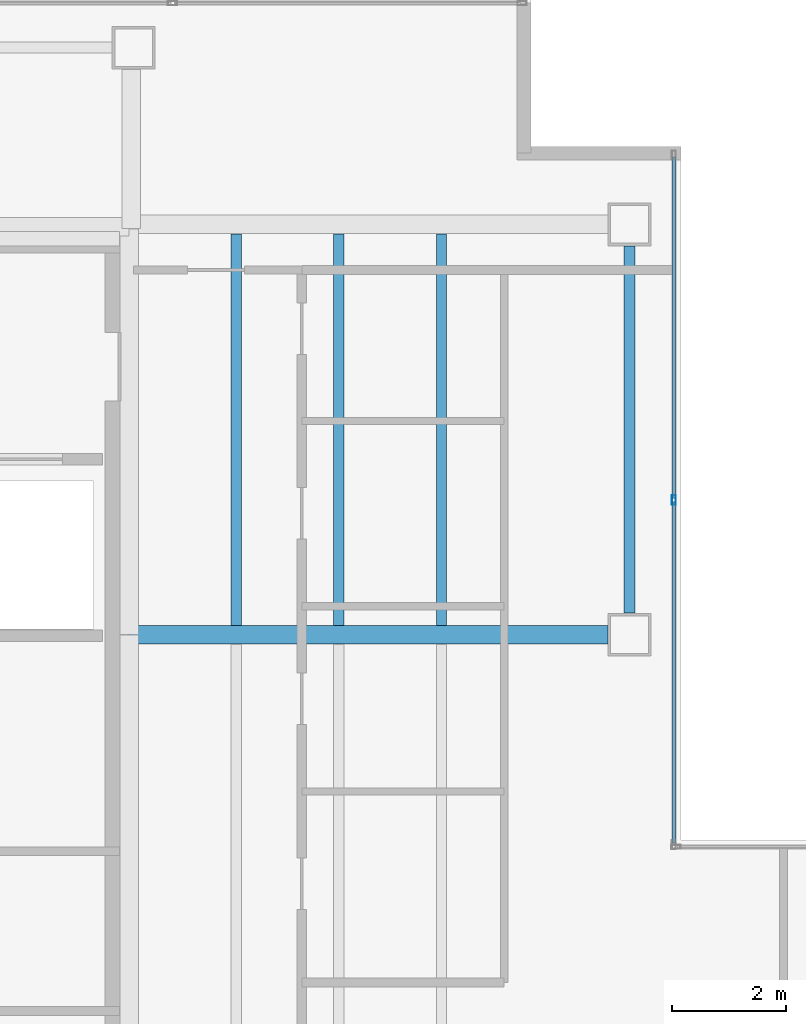
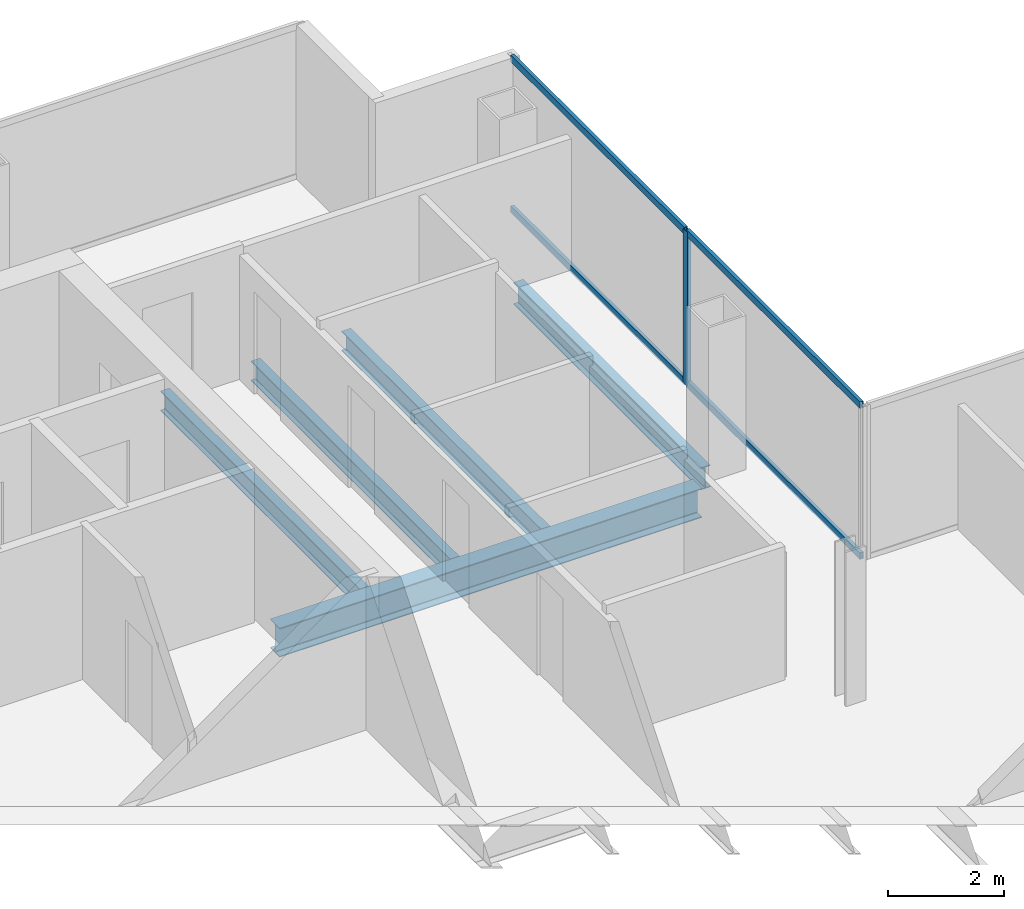
# One storey, part 9 of 23: 5 beams, 5 members, 1 element without a shape of its own.
"""IFC4 building model written with IfcOpenShell, lengths in metres."""

from ifc_helpers import new_model, si_unit, direction, frame, origin, origin_2d, place, context, subcontext, project, spatial, hollow_rectangle, i_section, extrude, material, material_profile, profile_set, type_object, element, aggregate, save


model = new_model("IFC4")

# Units and contexts
model_context = context("Model", 3, precision=1e-05, world=origin(), true_north=direction((0.0, 1.0)))
body_context = subcontext(model_context, "Body", "Model", "MODEL_VIEW")
ifc_project = project(units=[si_unit("LENGTHUNIT", "METRE"), si_unit("AREAUNIT", "SQUARE_METRE"), si_unit("VOLUMEUNIT", "CUBIC_METRE"), si_unit("PLANEANGLEUNIT", "RADIAN"), si_unit("MASSUNIT", "GRAM", prefix="KILO")], contexts=[model_context])

# Site, building, storey
site_placement = place(None, origin())
site = spatial("IfcSite", under=ifc_project, at=site_placement, CompositionType="ELEMENT")
building_placement = place(site_placement, origin())
building = spatial("IfcBuilding", under=site, at=building_placement, Name="Cobrela Telecom Tower", CompositionType="ELEMENT")
storey_placement = place(building_placement, frame((0.0, 0.0, 211.75)))
storey = spatial("IfcBuildingStorey", under=building, at=storey_placement, Name="L54", CompositionType="ELEMENT", Elevation=211.75)

# Beams
ifc_material_1 = material(Name="Steel ASTM A992 Grade 50", Category="steel")
ifc_material_profile_1 = material_profile(ifc_material_1, i_section(OverallWidth=0.324951171875, OverallDepth=0.612060546875, WebThickness=0.0126953125, FlangeThickness=0.01904296875, FilletRadius=0.014892578125, at=origin_2d()), Name="W24X104")
ifc_profile_set_1 = profile_set([ifc_material_profile_1], Name="Steel ASTM A992 Grade 50")
beam_type_1 = type_object("IfcBeamType", Name="BM-GIRD-07", PredefinedType="USERDEFINED", material=ifc_profile_set_1)
beam_1_placement = place(storey_placement, frame((14.324951171875, 28.800048828125, -0.56591796875), z_axis=(1.0, 0.0, 0.0), x_axis=(0.0, 1.0, 0.0)))
element("IfcBeam", 1, at=beam_1_placement, inside=storey, type_object=beam_type_1, Name="L54 Primary Girder X19", ObjectType="GIRDER", PredefinedType="USERDEFINED", context=body_context, shape_type="SweptSolid", body=[
    extrude(i_section(OverallWidth=0.324951171875, OverallDepth=0.612060546875, WebThickness=0.0126953125, FlangeThickness=0.01904296875, FilletRadius=0.014892578125, at=origin_2d()), origin(), (0.0, 0.0, 1.0), 8.39501953125),
])
ifc_material_profile_2 = material_profile(ifc_material_1, i_section(OverallWidth=0.179931640625, OverallDepth=0.4169921875, WebThickness=0.010986328125, FlangeThickness=0.01806640625, FilletRadius=0.011962890625, at=origin_2d()), Name="W16X57")
ifc_profile_set_2 = profile_set([ifc_material_profile_2], Name="Steel ASTM A992 Grade 50")
beam_type_2 = type_object("IfcBeamType", Name="BM-JOIST-04", PredefinedType="JOIST", material=ifc_profile_set_2)
for number, where, z_axis, x_axis, name in (
    (2, (16.199951171875, 28.967529296875, -0.468505859375), (0.0, 1.0, 0.0), (-1.0, 0.0, 0.0), "L54 Secondary Composite Floor Beam J04"),
    (3, (18.0, 28.967529296875, -0.468505859375), (0.0, 1.0, 0.0), (-1.0, 0.0, 0.0), "L54 Secondary Composite Floor Beam J08"),
    (4, (19.800048828125, 28.967529296875, -0.468505859375), (0.0, 1.0, 0.0), (-1.0, 0.0, 0.0), "L54 Secondary Composite Floor Beam J12"),
):
    element("IfcBeam", number, at=place(storey_placement, frame(where, z_axis=z_axis, x_axis=x_axis)), inside=storey, type_object=beam_type_2, Name=name, PredefinedType="JOIST", context=body_context, shape_type="SweptSolid", body=[
        extrude(i_section(OverallWidth=0.179931640625, OverallDepth=0.4169921875, WebThickness=0.010986328125, FlangeThickness=0.01806640625, FilletRadius=0.011962890625, at=origin_2d()), origin(), (0.0, 0.0, 1.0), 6.864990234375),
    ])
ifc_material_profile_3 = material_profile(ifc_material_1, i_section(OverallWidth=0.193115234375, OverallDepth=0.467041015625, WebThickness=0.011474609375, FlangeThickness=0.01904296875, FilletRadius=0.012939453125, at=origin_2d()), Name="W18X65")
ifc_profile_set_3 = profile_set([ifc_material_profile_3], Name="Steel ASTM A992 Grade 50")
beam_type_3 = type_object("IfcBeamType", Name="BM-SPAND-05", PredefinedType="SPANDREL", material=ifc_profile_set_3)
beam_2_placement = place(storey_placement, frame((23.10009765625, 29.179931640625, -0.493408203125), z_axis=(0.0, 1.0, 0.0), x_axis=(-1.0, 0.0, 0.0)))
element("IfcBeam", 5, at=beam_2_placement, inside=storey, type_object=beam_type_3, Name="L54 Perimeter Spandrel Y35", PredefinedType="SPANDREL", context=body_context, shape_type="SweptSolid", body=[
    extrude(i_section(OverallWidth=0.193115234375, OverallDepth=0.467041015625, WebThickness=0.011474609375, FlangeThickness=0.01904296875, FilletRadius=0.012939453125, at=origin_2d()), origin(), (0.0, 0.0, 1.0), 6.440185546875),
])

# Curtain wall, members
ifc_material_2 = material(Name="Anodized Bronze Aluminium 6063-T6", Category="aluminium")
curtain_wall_type = type_object("IfcCurtainWallType", Name="CW-SYS-OFF-LO", PredefinedType="USERDEFINED", material=ifc_material_2)
curtain_wall_placement = place(storey_placement, origin())
curtain_wall = element("IfcCurtainWall", 6, at=curtain_wall_placement, inside=storey, type_object=curtain_wall_type, Name="L54 Unitised Bronze Curtain Wall 10", ObjectType="UNITISED CURTAIN WALL", PredefinedType="USERDEFINED")
ifc_material_profile_4 = material_profile(ifc_material_2, hollow_rectangle(XDim=0.070068359375, YDim=0.159912109375, WallThickness=0.00390625, at=origin_2d()), Name="ALU 70x160x4")
ifc_profile_set_4 = profile_set([ifc_material_profile_4], Name="Anodized Bronze Aluminium 6063-T6")
member_type_1 = type_object("IfcMemberType", Name="CW-SYS-OFF-LO-MUL", PredefinedType="MULLION", material=ifc_profile_set_4)
member_1_placement = place(storey_placement, frame((23.8798828125, 31.1650390625, 0.0), z_axis=(0.0, 0.0, 1.0), x_axis=(1.0, 0.0, 0.0)))
member_1 = element("IfcMember", 7, at=member_1_placement, type_object=member_type_1, Name="CW-OFF-LO mullion 2", PredefinedType="MULLION", context=body_context, shape_type="SweptSolid", body=[
    extrude(hollow_rectangle(XDim=0.070068359375, YDim=0.159912109375, WallThickness=0.00390625, at=origin_2d()), origin(), (0.0, 0.0, 1.0), 3.239990234375),
])
ifc_material_profile_5 = material_profile(ifc_material_2, hollow_rectangle(XDim=0.070068359375, YDim=0.139892578125, WallThickness=0.00390625, at=origin_2d()), Name="ALU 70x140x4")
ifc_profile_set_5 = profile_set([ifc_material_profile_5], Name="Anodized Bronze Aluminium 6063-T6")
member_type_2 = type_object("IfcMemberType", Name="CW-SYS-OFF-LO-TRN", PredefinedType="USERDEFINED", material=ifc_profile_set_5)
member_2_placement = place(storey_placement, frame((23.8798828125, 37.179931640625, 0.034912109375), z_axis=(0.0, -1.0, 0.0), x_axis=(1.0, 0.0, 0.0)))
member_2 = element("IfcMember", 8, at=member_2_placement, type_object=member_type_2, Name="CW-OFF-LO transom 1.1", ObjectType="TRANSOM", PredefinedType="USERDEFINED", context=body_context, shape_type="SweptSolid", body=[
    extrude(hollow_rectangle(XDim=0.070068359375, YDim=0.139892578125, WallThickness=0.00390625, at=origin_2d()), origin(), (0.0, 0.0, 1.0), 5.97998046875),
])
member_3_placement = place(storey_placement, frame((23.8798828125, 37.179931640625, 3.205078125), z_axis=(0.0, -1.0, 0.0), x_axis=(1.0, 0.0, 0.0)))
member_3 = element("IfcMember", 9, at=member_3_placement, type_object=member_type_2, Name="CW-OFF-LO transom 1.2", ObjectType="TRANSOM", PredefinedType="USERDEFINED", context=body_context, shape_type="SweptSolid", body=[
    extrude(hollow_rectangle(XDim=0.070068359375, YDim=0.139892578125, WallThickness=0.00390625, at=origin_2d()), origin(), (0.0, 0.0, 1.0), 5.97998046875),
])
member_4_placement = place(storey_placement, frame((23.8798828125, 31.1298828125, 0.034912109375), z_axis=(0.0, -1.0, 0.0), x_axis=(1.0, 0.0, 0.0)))
member_4 = element("IfcMember", 10, at=member_4_placement, type_object=member_type_2, Name="CW-OFF-LO transom 2.1", ObjectType="TRANSOM", PredefinedType="USERDEFINED", context=body_context, shape_type="SweptSolid", body=[
    extrude(hollow_rectangle(XDim=0.070068359375, YDim=0.139892578125, WallThickness=0.00390625, at=origin_2d()), origin(), (0.0, 0.0, 1.0), 5.97998046875),
])
member_5_placement = place(storey_placement, frame((23.8798828125, 31.1298828125, 3.205078125), z_axis=(0.0, -1.0, 0.0), x_axis=(1.0, 0.0, 0.0)))
member_5 = element("IfcMember", 11, at=member_5_placement, type_object=member_type_2, Name="CW-OFF-LO transom 2.2", ObjectType="TRANSOM", PredefinedType="USERDEFINED", context=body_context, shape_type="SweptSolid", body=[
    extrude(hollow_rectangle(XDim=0.070068359375, YDim=0.139892578125, WallThickness=0.00390625, at=origin_2d()), origin(), (0.0, 0.0, 1.0), 5.97998046875),
])
aggregate(curtain_wall, [member_1, member_2, member_3, member_4, member_5])

save(model, "model.ifc")
